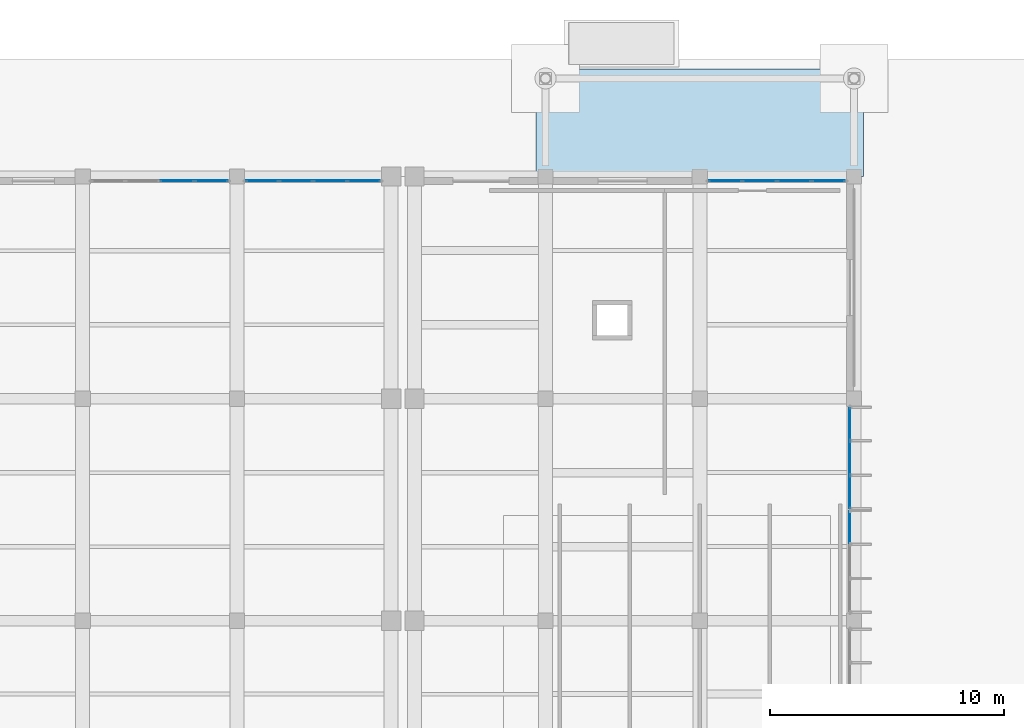
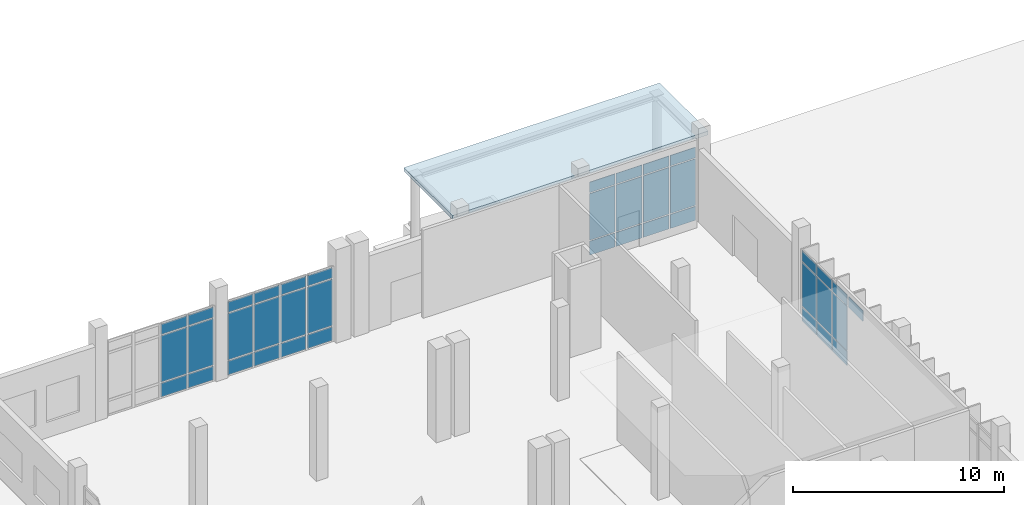
# One storey, part 46 of 79: 40 plates, 1 slab, 5 elements without a shape of their own.
"""IFC4 building model written with IfcOpenShell, lengths in metres."""

from ifc_helpers import new_model, si_unit, direction, frame, origin, origin_2d, place, context, subcontext, project, spatial, polyline, rectangle, outline, extrude, material, layer, layer_set, type_object, element, aggregate, save


model = new_model("IFC4")

# Units and contexts
model_context = context("Model", 3, precision=1e-05, world=origin(), true_north=direction((0.0, 1.0)))
body_context = subcontext(model_context, "Body", "Model", "MODEL_VIEW")
ifc_project = project(units=[si_unit("LENGTHUNIT", "METRE"), si_unit("AREAUNIT", "SQUARE_METRE"), si_unit("VOLUMEUNIT", "CUBIC_METRE"), si_unit("PLANEANGLEUNIT", "RADIAN"), si_unit("MASSUNIT", "GRAM", prefix="KILO")], contexts=[model_context])

# Site, building, storey
site_placement = place(None, origin())
site = spatial("IfcSite", under=ifc_project, at=site_placement, CompositionType="ELEMENT")
building_placement = place(site_placement, origin())
building = spatial("IfcBuilding", under=site, at=building_placement, Name="Kelarvand Opera House", CompositionType="ELEMENT")
storey_placement = place(building_placement, origin())
storey = spatial("IfcBuildingStorey", under=building, at=storey_placement, Name="L00", CompositionType="ELEMENT", Elevation=0.0)

# Slab
ifc_material_1 = material(Name="Concrete C35/45", Category="concrete")
ifc_layer_1 = layer(ifc_material_1, 0.219970703125, Name="Concrete C35/45", Category="concrete")
ifc_layer_set_1 = layer_set([ifc_layer_1], Name="Concrete C35/45")
slab_type = type_object("IfcSlabType", Name="Flat Structural Roof Slab 220", PredefinedType="ROOF", material=ifc_layer_set_1)
slab_placement = place(storey_placement, frame((0.0, 0.0, 4.60009765625)))
element("IfcSlab", 1, at=slab_placement, inside=storey, type_object=slab_type, Name="North Park Entrance Canopy Slab", PredefinedType="ROOF", context=body_context, shape_type="SweptSolid", body=[
    extrude(outline(polyline([(121.60009765625, 125.0), (135.60009765625, 125.0), (135.60009765625, 129.60009765625), (121.60009765625, 129.60009765625), (121.60009765625, 125.0)])), origin(), (0.0, 0.0, 1.0), 0.219970703125),
])

# Curtain wall, plates
ifc_material_2 = material(Name="Thermally broken aluminium and low-E glazing", Category="aluminium")
ifc_layer_2 = layer(ifc_material_2, 0.179931640625, Name="Thermally broken aluminium and low-E glazing", Category="aluminium")
ifc_layer_set_2 = layer_set([ifc_layer_2], Name="Thermally broken aluminium and low-E glazing")
curtain_wall_type_1 = type_object("IfcCurtainWallType", Name="Unitised Low-E Curtain Wall 4411x4200 Mod 1450 CWF-37", PredefinedType="USERDEFINED", material=ifc_layer_set_2)
curtain_wall_1_placement = place(storey_placement, origin())
curtain_wall_1 = element("IfcCurtainWall", 2, at=curtain_wall_1_placement, inside=storey, type_object=curtain_wall_type_1, Name="V5 L00 Curtain Wall CWF-37 (163)", ObjectType="UNITISED CURTAIN WALL", PredefinedType="USERDEFINED")
ifc_material_3 = material(Name="Low-E laminated double glazing", Category="glass")
ifc_layer_3 = layer(ifc_material_3, 0.031982421875, Name="Low-E laminated double glazing", Category="glass")
ifc_layer_set_3 = layer_set([ifc_layer_3], Name="Low-E laminated double glazing")
plate_type = type_object("IfcPlateType", Name="Low-E Argon Double Glazed Curtain Panel 32mm", PredefinedType="CURTAIN_PANEL", material=ifc_layer_set_3)
plate_1_placement = place(storey_placement, frame((135.02001953125, 114.41357421875, 0.06494140625), z_axis=(0.0, 0.0, 1.0), x_axis=(0.0, -1.0, 0.0)))
plate_1 = element("IfcPlate", 3, at=plate_1_placement, type_object=plate_type, Name="CWF-37 panel 1.1", PredefinedType="CURTAIN_PANEL", context=body_context, shape_type="SweptSolid", body=[
    extrude(rectangle(XDim=1.372802734375, YDim=0.031982421875, at=origin_2d()), origin(), (0.0, 0.0, 1.0), 0.802490234375),
])
plate_2_placement = place(storey_placement, frame((135.02001953125, 114.41357421875, 0.9326171875), z_axis=(0.0, 0.0, 1.0), x_axis=(0.0, -1.0, 0.0)))
plate_2 = element("IfcPlate", 4, at=plate_2_placement, type_object=plate_type, Name="CWF-37 panel 1.2", PredefinedType="CURTAIN_PANEL", context=body_context, shape_type="SweptSolid", body=[
    extrude(rectangle(XDim=1.372802734375, YDim=0.031982421875, at=origin_2d()), origin(), (0.0, 0.0, 1.0), 2.534912109375),
])
plate_3_placement = place(storey_placement, frame((135.02001953125, 114.41357421875, 3.532470703125), z_axis=(0.0, 0.0, 1.0), x_axis=(0.0, -1.0, 0.0)))
plate_3 = element("IfcPlate", 5, at=plate_3_placement, type_object=plate_type, Name="CWF-37 panel 1.3", PredefinedType="CURTAIN_PANEL", context=body_context, shape_type="SweptSolid", body=[
    extrude(rectangle(XDim=1.372802734375, YDim=0.031982421875, at=origin_2d()), origin(), (0.0, 0.0, 1.0), 0.6025390625),
])
plate_4_placement = place(storey_placement, frame((135.02001953125, 112.95947265625, 0.06494140625), z_axis=(0.0, 0.0, 1.0), x_axis=(0.0, -1.0, 0.0)))
plate_4 = element("IfcPlate", 6, at=plate_4_placement, type_object=plate_type, Name="CWF-37 panel 2.1", PredefinedType="CURTAIN_PANEL", context=body_context, shape_type="SweptSolid", body=[
    extrude(rectangle(XDim=1.4052734375, YDim=0.031982421875, at=origin_2d()), origin(), (0.0, 0.0, 1.0), 0.802490234375),
])
plate_5_placement = place(storey_placement, frame((135.02001953125, 112.95947265625, 0.9326171875), z_axis=(0.0, 0.0, 1.0), x_axis=(0.0, -1.0, 0.0)))
plate_5 = element("IfcPlate", 7, at=plate_5_placement, type_object=plate_type, Name="CWF-37 panel 2.2", PredefinedType="CURTAIN_PANEL", context=body_context, shape_type="SweptSolid", body=[
    extrude(rectangle(XDim=1.4052734375, YDim=0.031982421875, at=origin_2d()), origin(), (0.0, 0.0, 1.0), 2.534912109375),
])
plate_6_placement = place(storey_placement, frame((135.02001953125, 112.95947265625, 3.532470703125), z_axis=(0.0, 0.0, 1.0), x_axis=(0.0, -1.0, 0.0)))
plate_6 = element("IfcPlate", 8, at=plate_6_placement, type_object=plate_type, Name="CWF-37 panel 2.3", PredefinedType="CURTAIN_PANEL", context=body_context, shape_type="SweptSolid", body=[
    extrude(rectangle(XDim=1.4052734375, YDim=0.031982421875, at=origin_2d()), origin(), (0.0, 0.0, 1.0), 0.6025390625),
])
plate_7_placement = place(storey_placement, frame((135.02001953125, 111.50537109375, 0.06494140625), z_axis=(0.0, 0.0, 1.0), x_axis=(0.0, -1.0, 0.0)))
plate_7 = element("IfcPlate", 9, at=plate_7_placement, type_object=plate_type, Name="CWF-37 panel 3.1", PredefinedType="CURTAIN_PANEL", context=body_context, shape_type="SweptSolid", body=[
    extrude(rectangle(XDim=1.372802734375, YDim=0.031982421875, at=origin_2d()), origin(), (0.0, 0.0, 1.0), 0.802490234375),
])
plate_8_placement = place(storey_placement, frame((135.02001953125, 111.50537109375, 0.9326171875), z_axis=(0.0, 0.0, 1.0), x_axis=(0.0, -1.0, 0.0)))
plate_8 = element("IfcPlate", 10, at=plate_8_placement, type_object=plate_type, Name="CWF-37 panel 3.2", PredefinedType="CURTAIN_PANEL", context=body_context, shape_type="SweptSolid", body=[
    extrude(rectangle(XDim=1.372802734375, YDim=0.031982421875, at=origin_2d()), origin(), (0.0, 0.0, 1.0), 2.534912109375),
])
plate_9_placement = place(storey_placement, frame((135.02001953125, 111.50537109375, 3.532470703125), z_axis=(0.0, 0.0, 1.0), x_axis=(0.0, -1.0, 0.0)))
plate_9 = element("IfcPlate", 11, at=plate_9_placement, type_object=plate_type, Name="CWF-37 panel 3.3", PredefinedType="CURTAIN_PANEL", context=body_context, shape_type="SweptSolid", body=[
    extrude(rectangle(XDim=1.372802734375, YDim=0.031982421875, at=origin_2d()), origin(), (0.0, 0.0, 1.0), 0.6025390625),
])
aggregate(curtain_wall_1, [plate_1, plate_2, plate_3, plate_4, plate_5, plate_6, plate_7, plate_8, plate_9])

# Curtain wall, plate
curtain_wall_2_placement = place(storey_placement, origin())
curtain_wall_2 = element("IfcCurtainWall", 12, at=curtain_wall_2_placement, inside=storey, type_object=curtain_wall_type_1, Name="V5 L00 Curtain Wall CWF-37 (164)", ObjectType="UNITISED CURTAIN WALL", PredefinedType="USERDEFINED")
plate_10_placement = place(storey_placement, frame((135.02001953125, 109.997802734375, 3.532470703125), z_axis=(0.0, 0.0, 1.0), x_axis=(0.0, -1.0, 0.0)))
plate_10 = element("IfcPlate", 13, at=plate_10_placement, type_object=plate_type, Name="CWF-37 panel 1.3", PredefinedType="CURTAIN_PANEL", context=body_context, shape_type="SweptSolid", body=[
    extrude(rectangle(XDim=1.374267578125, YDim=0.031982421875, at=origin_2d()), origin(), (0.0, 0.0, 1.0), 0.6025390625),
])
aggregate(curtain_wall_2, [plate_10])

# Curtain wall, plates
ifc_layer_4 = layer(ifc_material_2, 0.179931640625, Name="Thermally broken aluminium and low-E glazing", Category="aluminium")
ifc_layer_set_4 = layer_set([ifc_layer_4], Name="Thermally broken aluminium and low-E glazing")
curtain_wall_type_2 = type_object("IfcCurtainWallType", Name="Unitised Low-E Curtain Wall 5930x4350 Mod 1450 CWF-39", PredefinedType="USERDEFINED", material=ifc_layer_set_4)
curtain_wall_3_placement = place(storey_placement, origin())
curtain_wall_3 = element("IfcCurtainWall", 14, at=curtain_wall_3_placement, inside=storey, type_object=curtain_wall_type_2, Name="V5 L00 Curtain Wall CWF-39 (167)", ObjectType="UNITISED CURTAIN WALL", PredefinedType="USERDEFINED")
plate_11_placement = place(storey_placement, frame((106.2412109375, 124.820068359375, 0.06494140625), z_axis=(0.0, 0.0, 1.0), x_axis=(1.0, 0.0, 0.0)))
plate_11 = element("IfcPlate", 15, at=plate_11_placement, type_object=plate_type, Name="CWF-39 panel 3.1", PredefinedType="CURTAIN_PANEL", context=body_context, shape_type="SweptSolid", body=[
    extrude(rectangle(XDim=1.41748046875, YDim=0.031982421875, at=origin_2d()), origin(), (0.0, 0.0, 1.0), 0.802490234375),
])
plate_12_placement = place(storey_placement, frame((106.2412109375, 124.820068359375, 0.932373046875), z_axis=(0.0, 0.0, 1.0), x_axis=(1.0, 0.0, 0.0)))
plate_12 = element("IfcPlate", 16, at=plate_12_placement, type_object=plate_type, Name="CWF-39 panel 3.2", PredefinedType="CURTAIN_PANEL", context=body_context, shape_type="SweptSolid", body=[
    extrude(rectangle(XDim=1.41748046875, YDim=0.031982421875, at=origin_2d()), origin(), (0.0, 0.0, 1.0), 2.68505859375),
])
plate_13_placement = place(storey_placement, frame((106.2412109375, 124.820068359375, 3.682373046875), z_axis=(0.0, 0.0, 1.0), x_axis=(1.0, 0.0, 0.0)))
plate_13 = element("IfcPlate", 17, at=plate_13_placement, type_object=plate_type, Name="CWF-39 panel 3.3", PredefinedType="CURTAIN_PANEL", context=body_context, shape_type="SweptSolid", body=[
    extrude(rectangle(XDim=1.41748046875, YDim=0.031982421875, at=origin_2d()), origin(), (0.0, 0.0, 1.0), 0.6025390625),
])
plate_14_placement = place(storey_placement, frame((107.70751953125, 124.820068359375, 0.06494140625), z_axis=(0.0, 0.0, 1.0), x_axis=(1.0, 0.0, 0.0)))
plate_14 = element("IfcPlate", 18, at=plate_14_placement, type_object=plate_type, Name="CWF-39 panel 4.1", PredefinedType="CURTAIN_PANEL", context=body_context, shape_type="SweptSolid", body=[
    extrude(rectangle(XDim=1.385009765625, YDim=0.031982421875, at=origin_2d()), origin(), (0.0, 0.0, 1.0), 0.802490234375),
])
plate_15_placement = place(storey_placement, frame((107.70751953125, 124.820068359375, 0.932373046875), z_axis=(0.0, 0.0, 1.0), x_axis=(1.0, 0.0, 0.0)))
plate_15 = element("IfcPlate", 19, at=plate_15_placement, type_object=plate_type, Name="CWF-39 panel 4.2", PredefinedType="CURTAIN_PANEL", context=body_context, shape_type="SweptSolid", body=[
    extrude(rectangle(XDim=1.385009765625, YDim=0.031982421875, at=origin_2d()), origin(), (0.0, 0.0, 1.0), 2.68505859375),
])
plate_16_placement = place(storey_placement, frame((107.70751953125, 124.820068359375, 3.682373046875), z_axis=(0.0, 0.0, 1.0), x_axis=(1.0, 0.0, 0.0)))
plate_16 = element("IfcPlate", 20, at=plate_16_placement, type_object=plate_type, Name="CWF-39 panel 4.3", PredefinedType="CURTAIN_PANEL", context=body_context, shape_type="SweptSolid", body=[
    extrude(rectangle(XDim=1.385009765625, YDim=0.031982421875, at=origin_2d()), origin(), (0.0, 0.0, 1.0), 0.6025390625),
])
aggregate(curtain_wall_3, [plate_11, plate_12, plate_13, plate_14, plate_15, plate_16])

ifc_layer_5 = layer(ifc_material_2, 0.179931640625, Name="Thermally broken aluminium and low-E glazing", Category="aluminium")
ifc_layer_set_5 = layer_set([ifc_layer_5], Name="Thermally broken aluminium and low-E glazing")
curtain_wall_type_3 = type_object("IfcCurtainWallType", Name="Unitised Low-E Curtain Wall 5845x4350 Mod 1450 CWF-40", PredefinedType="USERDEFINED", material=ifc_layer_set_5)
curtain_wall_4_placement = place(storey_placement, origin())
curtain_wall_4 = element("IfcCurtainWall", 21, at=curtain_wall_4_placement, inside=storey, type_object=curtain_wall_type_3, Name="V5 L00 Curtain Wall CWF-40 (168)", ObjectType="UNITISED CURTAIN WALL", PredefinedType="USERDEFINED")
plate_17_placement = place(storey_placement, frame((109.8818359375, 124.820068359375, 0.06494140625), z_axis=(0.0, 0.0, 1.0), x_axis=(1.0, 0.0, 0.0)))
plate_17 = element("IfcPlate", 22, at=plate_17_placement, type_object=plate_type, Name="CWF-40 panel 1.1", PredefinedType="CURTAIN_PANEL", context=body_context, shape_type="SweptSolid", body=[
    extrude(rectangle(XDim=1.36376953125, YDim=0.031982421875, at=origin_2d()), origin(), (0.0, 0.0, 1.0), 0.802490234375),
])
plate_18_placement = place(storey_placement, frame((109.8818359375, 124.820068359375, 0.932373046875), z_axis=(0.0, 0.0, 1.0), x_axis=(1.0, 0.0, 0.0)))
plate_18 = element("IfcPlate", 23, at=plate_18_placement, type_object=plate_type, Name="CWF-40 panel 1.2", PredefinedType="CURTAIN_PANEL", context=body_context, shape_type="SweptSolid", body=[
    extrude(rectangle(XDim=1.36376953125, YDim=0.031982421875, at=origin_2d()), origin(), (0.0, 0.0, 1.0), 2.68505859375),
])
plate_19_placement = place(storey_placement, frame((109.8818359375, 124.820068359375, 3.682373046875), z_axis=(0.0, 0.0, 1.0), x_axis=(1.0, 0.0, 0.0)))
plate_19 = element("IfcPlate", 24, at=plate_19_placement, type_object=plate_type, Name="CWF-40 panel 1.3", PredefinedType="CURTAIN_PANEL", context=body_context, shape_type="SweptSolid", body=[
    extrude(rectangle(XDim=1.36376953125, YDim=0.031982421875, at=origin_2d()), origin(), (0.0, 0.0, 1.0), 0.6025390625),
])
plate_20_placement = place(storey_placement, frame((111.326904296875, 124.820068359375, 0.06494140625), z_axis=(0.0, 0.0, 1.0), x_axis=(1.0, 0.0, 0.0)))
plate_20 = element("IfcPlate", 25, at=plate_20_placement, type_object=plate_type, Name="CWF-40 panel 2.1", PredefinedType="CURTAIN_PANEL", context=body_context, shape_type="SweptSolid", body=[
    extrude(rectangle(XDim=1.396240234375, YDim=0.031982421875, at=origin_2d()), origin(), (0.0, 0.0, 1.0), 0.802490234375),
])
plate_21_placement = place(storey_placement, frame((111.326904296875, 124.820068359375, 0.932373046875), z_axis=(0.0, 0.0, 1.0), x_axis=(1.0, 0.0, 0.0)))
plate_21 = element("IfcPlate", 26, at=plate_21_placement, type_object=plate_type, Name="CWF-40 panel 2.2", PredefinedType="CURTAIN_PANEL", context=body_context, shape_type="SweptSolid", body=[
    extrude(rectangle(XDim=1.396240234375, YDim=0.031982421875, at=origin_2d()), origin(), (0.0, 0.0, 1.0), 2.68505859375),
])
plate_22_placement = place(storey_placement, frame((111.326904296875, 124.820068359375, 3.682373046875), z_axis=(0.0, 0.0, 1.0), x_axis=(1.0, 0.0, 0.0)))
plate_22 = element("IfcPlate", 27, at=plate_22_placement, type_object=plate_type, Name="CWF-40 panel 2.3", PredefinedType="CURTAIN_PANEL", context=body_context, shape_type="SweptSolid", body=[
    extrude(rectangle(XDim=1.396240234375, YDim=0.031982421875, at=origin_2d()), origin(), (0.0, 0.0, 1.0), 0.6025390625),
])
plate_23_placement = place(storey_placement, frame((112.7880859375, 124.820068359375, 0.06494140625), z_axis=(0.0, 0.0, 1.0), x_axis=(1.0, 0.0, 0.0)))
plate_23 = element("IfcPlate", 28, at=plate_23_placement, type_object=plate_type, Name="CWF-40 panel 3.1", PredefinedType="CURTAIN_PANEL", context=body_context, shape_type="SweptSolid", body=[
    extrude(rectangle(XDim=1.396240234375, YDim=0.031982421875, at=origin_2d()), origin(), (0.0, 0.0, 1.0), 0.802490234375),
])
plate_24_placement = place(storey_placement, frame((112.7880859375, 124.820068359375, 0.932373046875), z_axis=(0.0, 0.0, 1.0), x_axis=(1.0, 0.0, 0.0)))
plate_24 = element("IfcPlate", 29, at=plate_24_placement, type_object=plate_type, Name="CWF-40 panel 3.2", PredefinedType="CURTAIN_PANEL", context=body_context, shape_type="SweptSolid", body=[
    extrude(rectangle(XDim=1.396240234375, YDim=0.031982421875, at=origin_2d()), origin(), (0.0, 0.0, 1.0), 2.68505859375),
])
plate_25_placement = place(storey_placement, frame((112.7880859375, 124.820068359375, 3.682373046875), z_axis=(0.0, 0.0, 1.0), x_axis=(1.0, 0.0, 0.0)))
plate_25 = element("IfcPlate", 30, at=plate_25_placement, type_object=plate_type, Name="CWF-40 panel 3.3", PredefinedType="CURTAIN_PANEL", context=body_context, shape_type="SweptSolid", body=[
    extrude(rectangle(XDim=1.396240234375, YDim=0.031982421875, at=origin_2d()), origin(), (0.0, 0.0, 1.0), 0.6025390625),
])
plate_26_placement = place(storey_placement, frame((114.233154296875, 124.820068359375, 0.06494140625), z_axis=(0.0, 0.0, 1.0), x_axis=(1.0, 0.0, 0.0)))
plate_26 = element("IfcPlate", 31, at=plate_26_placement, type_object=plate_type, Name="CWF-40 panel 4.1", PredefinedType="CURTAIN_PANEL", context=body_context, shape_type="SweptSolid", body=[
    extrude(rectangle(XDim=1.36376953125, YDim=0.031982421875, at=origin_2d()), origin(), (0.0, 0.0, 1.0), 0.802490234375),
])
plate_27_placement = place(storey_placement, frame((114.233154296875, 124.820068359375, 0.932373046875), z_axis=(0.0, 0.0, 1.0), x_axis=(1.0, 0.0, 0.0)))
plate_27 = element("IfcPlate", 32, at=plate_27_placement, type_object=plate_type, Name="CWF-40 panel 4.2", PredefinedType="CURTAIN_PANEL", context=body_context, shape_type="SweptSolid", body=[
    extrude(rectangle(XDim=1.36376953125, YDim=0.031982421875, at=origin_2d()), origin(), (0.0, 0.0, 1.0), 2.68505859375),
])
plate_28_placement = place(storey_placement, frame((114.233154296875, 124.820068359375, 3.682373046875), z_axis=(0.0, 0.0, 1.0), x_axis=(1.0, 0.0, 0.0)))
plate_28 = element("IfcPlate", 33, at=plate_28_placement, type_object=plate_type, Name="CWF-40 panel 4.3", PredefinedType="CURTAIN_PANEL", context=body_context, shape_type="SweptSolid", body=[
    extrude(rectangle(XDim=1.36376953125, YDim=0.031982421875, at=origin_2d()), origin(), (0.0, 0.0, 1.0), 0.6025390625),
])
aggregate(curtain_wall_4, [plate_17, plate_18, plate_19, plate_20, plate_21, plate_22, plate_23, plate_24, plate_25, plate_26, plate_27, plate_28])

curtain_wall_5_placement = place(storey_placement, origin())
curtain_wall_5 = element("IfcCurtainWall", 34, at=curtain_wall_5_placement, inside=storey, type_object=curtain_wall_type_2, Name="V5 L00 Curtain Wall CWF-39 (169)", ObjectType="UNITISED CURTAIN WALL", PredefinedType="USERDEFINED")
plate_29_placement = place(storey_placement, frame((129.6923828125, 124.820068359375, 0.06494140625), z_axis=(0.0, 0.0, 1.0), x_axis=(1.0, 0.0, 0.0)))
plate_29 = element("IfcPlate", 35, at=plate_29_placement, type_object=plate_type, Name="CWF-39 panel 1.1", PredefinedType="CURTAIN_PANEL", context=body_context, shape_type="SweptSolid", body=[
    extrude(rectangle(XDim=1.385009765625, YDim=0.031982421875, at=origin_2d()), origin(), (0.0, 0.0, 1.0), 0.802490234375),
])
plate_30_placement = place(storey_placement, frame((129.6923828125, 124.820068359375, 0.932373046875), z_axis=(0.0, 0.0, 1.0), x_axis=(1.0, 0.0, 0.0)))
plate_30 = element("IfcPlate", 36, at=plate_30_placement, type_object=plate_type, Name="CWF-39 panel 1.2", PredefinedType="CURTAIN_PANEL", context=body_context, shape_type="SweptSolid", body=[
    extrude(rectangle(XDim=1.385009765625, YDim=0.031982421875, at=origin_2d()), origin(), (0.0, 0.0, 1.0), 2.68505859375),
])
plate_31_placement = place(storey_placement, frame((129.6923828125, 124.820068359375, 3.682373046875), z_axis=(0.0, 0.0, 1.0), x_axis=(1.0, 0.0, 0.0)))
plate_31 = element("IfcPlate", 37, at=plate_31_placement, type_object=plate_type, Name="CWF-39 panel 1.3", PredefinedType="CURTAIN_PANEL", context=body_context, shape_type="SweptSolid", body=[
    extrude(rectangle(XDim=1.385009765625, YDim=0.031982421875, at=origin_2d()), origin(), (0.0, 0.0, 1.0), 0.6025390625),
])
plate_32_placement = place(storey_placement, frame((131.15869140625, 124.820068359375, 0.06494140625), z_axis=(0.0, 0.0, 1.0), x_axis=(1.0, 0.0, 0.0)))
plate_32 = element("IfcPlate", 38, at=plate_32_placement, type_object=plate_type, Name="CWF-39 panel 2.1", PredefinedType="CURTAIN_PANEL", context=body_context, shape_type="SweptSolid", body=[
    extrude(rectangle(XDim=1.41748046875, YDim=0.031982421875, at=origin_2d()), origin(), (0.0, 0.0, 1.0), 0.802490234375),
])
plate_33_placement = place(storey_placement, frame((131.15869140625, 124.820068359375, 0.932373046875), z_axis=(0.0, 0.0, 1.0), x_axis=(1.0, 0.0, 0.0)))
plate_33 = element("IfcPlate", 39, at=plate_33_placement, type_object=plate_type, Name="CWF-39 panel 2.2", PredefinedType="CURTAIN_PANEL", context=body_context, shape_type="SweptSolid", body=[
    extrude(rectangle(XDim=1.41748046875, YDim=0.031982421875, at=origin_2d()), origin(), (0.0, 0.0, 1.0), 2.68505859375),
])
plate_34_placement = place(storey_placement, frame((131.15869140625, 124.820068359375, 3.682373046875), z_axis=(0.0, 0.0, 1.0), x_axis=(1.0, 0.0, 0.0)))
plate_34 = element("IfcPlate", 40, at=plate_34_placement, type_object=plate_type, Name="CWF-39 panel 2.3", PredefinedType="CURTAIN_PANEL", context=body_context, shape_type="SweptSolid", body=[
    extrude(rectangle(XDim=1.41748046875, YDim=0.031982421875, at=origin_2d()), origin(), (0.0, 0.0, 1.0), 0.6025390625),
])
plate_35_placement = place(storey_placement, frame((132.641357421875, 124.820068359375, 0.06494140625), z_axis=(0.0, 0.0, 1.0), x_axis=(1.0, 0.0, 0.0)))
plate_35 = element("IfcPlate", 41, at=plate_35_placement, type_object=plate_type, Name="CWF-39 panel 3.1", PredefinedType="CURTAIN_PANEL", context=body_context, shape_type="SweptSolid", body=[
    extrude(rectangle(XDim=1.41748046875, YDim=0.031982421875, at=origin_2d()), origin(), (0.0, 0.0, 1.0), 0.802490234375),
])
plate_36_placement = place(storey_placement, frame((132.641357421875, 124.820068359375, 0.932373046875), z_axis=(0.0, 0.0, 1.0), x_axis=(1.0, 0.0, 0.0)))
plate_36 = element("IfcPlate", 42, at=plate_36_placement, type_object=plate_type, Name="CWF-39 panel 3.2", PredefinedType="CURTAIN_PANEL", context=body_context, shape_type="SweptSolid", body=[
    extrude(rectangle(XDim=1.41748046875, YDim=0.031982421875, at=origin_2d()), origin(), (0.0, 0.0, 1.0), 2.68505859375),
])
plate_37_placement = place(storey_placement, frame((132.641357421875, 124.820068359375, 3.682373046875), z_axis=(0.0, 0.0, 1.0), x_axis=(1.0, 0.0, 0.0)))
plate_37 = element("IfcPlate", 43, at=plate_37_placement, type_object=plate_type, Name="CWF-39 panel 3.3", PredefinedType="CURTAIN_PANEL", context=body_context, shape_type="SweptSolid", body=[
    extrude(rectangle(XDim=1.41748046875, YDim=0.031982421875, at=origin_2d()), origin(), (0.0, 0.0, 1.0), 0.6025390625),
])
plate_38_placement = place(storey_placement, frame((134.107421875, 124.820068359375, 0.06494140625), z_axis=(0.0, 0.0, 1.0), x_axis=(1.0, 0.0, 0.0)))
plate_38 = element("IfcPlate", 44, at=plate_38_placement, type_object=plate_type, Name="CWF-39 panel 4.1", PredefinedType="CURTAIN_PANEL", context=body_context, shape_type="SweptSolid", body=[
    extrude(rectangle(XDim=1.385009765625, YDim=0.031982421875, at=origin_2d()), origin(), (0.0, 0.0, 1.0), 0.802490234375),
])
plate_39_placement = place(storey_placement, frame((134.107421875, 124.820068359375, 0.932373046875), z_axis=(0.0, 0.0, 1.0), x_axis=(1.0, 0.0, 0.0)))
plate_39 = element("IfcPlate", 45, at=plate_39_placement, type_object=plate_type, Name="CWF-39 panel 4.2", PredefinedType="CURTAIN_PANEL", context=body_context, shape_type="SweptSolid", body=[
    extrude(rectangle(XDim=1.385009765625, YDim=0.031982421875, at=origin_2d()), origin(), (0.0, 0.0, 1.0), 2.68505859375),
])
plate_40_placement = place(storey_placement, frame((134.107421875, 124.820068359375, 3.682373046875), z_axis=(0.0, 0.0, 1.0), x_axis=(1.0, 0.0, 0.0)))
plate_40 = element("IfcPlate", 46, at=plate_40_placement, type_object=plate_type, Name="CWF-39 panel 4.3", PredefinedType="CURTAIN_PANEL", context=body_context, shape_type="SweptSolid", body=[
    extrude(rectangle(XDim=1.385009765625, YDim=0.031982421875, at=origin_2d()), origin(), (0.0, 0.0, 1.0), 0.6025390625),
])
aggregate(curtain_wall_5, [plate_29, plate_30, plate_31, plate_32, plate_33, plate_34, plate_35, plate_36, plate_37, plate_38, plate_39, plate_40])

save(model, "model.ifc")
